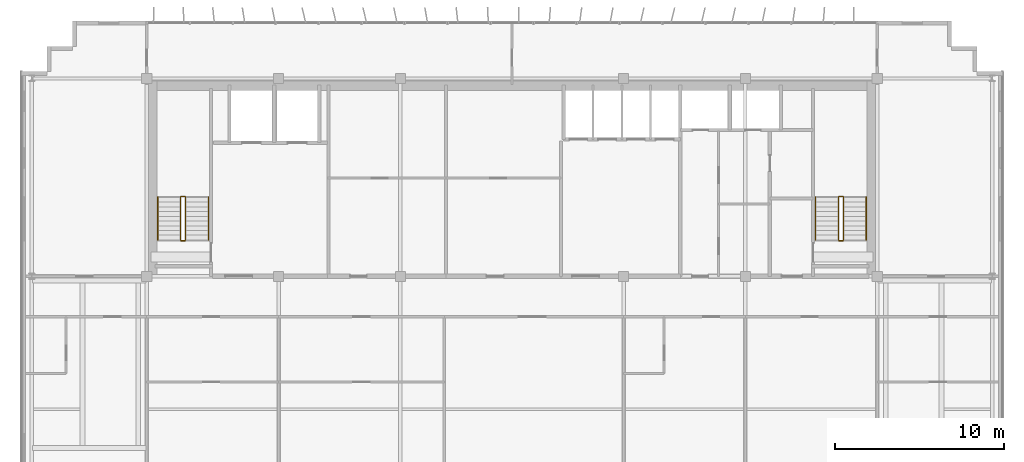
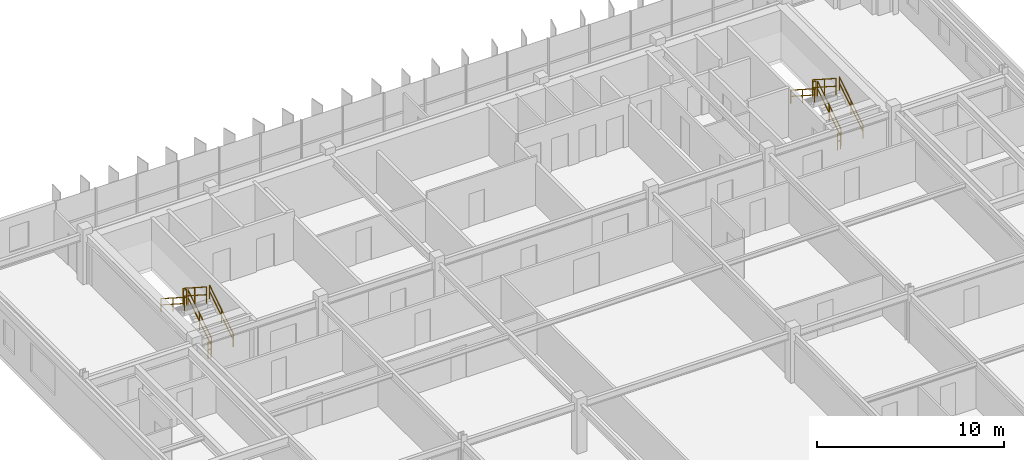
# One storey, part 26 of 26: 12 railings.
"""IFC4 building model written with IfcOpenShell, lengths in metres."""

from ifc_helpers import new_model, si_unit, direction, frame, origin, origin_2d, place, context, subcontext, project, spatial, rectangle, extrude, material, type_object, element, save


model = new_model("IFC4")

# Units and contexts
model_context = context("Model", 3, precision=1e-05, world=origin(), true_north=direction((0.0, 1.0)))
body_context = subcontext(model_context, "Body", "Model", "MODEL_VIEW")
ifc_project = project(units=[si_unit("LENGTHUNIT", "METRE"), si_unit("AREAUNIT", "SQUARE_METRE"), si_unit("VOLUMEUNIT", "CUBIC_METRE"), si_unit("PLANEANGLEUNIT", "RADIAN"), si_unit("MASSUNIT", "GRAM", prefix="KILO")], contexts=[model_context])

# Site, building, storey
site_placement = place(None, origin())
site = spatial("IfcSite", under=ifc_project, at=site_placement, CompositionType="ELEMENT")
building_placement = place(site_placement, origin())
building = spatial("IfcBuilding", under=site, at=building_placement, Name="Trelvane Seafront Commons", CompositionType="ELEMENT")
storey_placement = place(building_placement, frame((0.0, 0.0, 291.89990234375)))
storey = spatial("IfcBuildingStorey", under=building, at=storey_placement, Name="L76", CompositionType="ELEMENT", Elevation=291.89990234375)

# Railings
ifc_material = material(Name="Stainless steel balustrade", Category="steel")
railing_type_1 = type_object("IfcRailingType", Name="ARCH-SRL-GUARD", PredefinedType="GUARDRAIL", material=ifc_material)
railing_1_placement = place(storey_placement, frame((17.89990234375, 35.550048828125, 0.18017578125)))
element("IfcRailing", 1, at=railing_1_placement, inside=storey, type_object=railing_type_1, Name="L76 ST-1 stair guard 1", PredefinedType="GUARDRAIL", context=body_context, shape_type="SweptSolid", body=[
    extrude(rectangle(XDim=0.048095703125, YDim=0.048095703125, at=origin_2d()), frame((0.0, 0.0, 1.076171875), z_axis=(0.0, 0.841199657755, 0.540724639528), x_axis=(-1.0, 0.0, 0.0)), (0.0, 0.0, 1.0), 2.995849609375),
    extrude(rectangle(XDim=0.048095703125, YDim=0.048095703125, at=origin_2d()), frame((0.0, 0.0, 0.572021484375), z_axis=(0.0, 0.841199657755, 0.540724639528), x_axis=(-1.0, 0.0, 0.0)), (0.0, 0.0, 1.0), 2.995849609375),
    extrude(rectangle(XDim=0.0419921875, YDim=0.0419921875, at=origin_2d()), origin(), (0.0, 0.0, 1.0), 1.076171875),
    extrude(rectangle(XDim=0.0419921875, YDim=0.0419921875, at=origin_2d()), frame((0.0, 1.260009765625, 0.81005859375)), (0.0, 0.0, 1.0), 1.076171875),
    extrude(rectangle(XDim=0.0419921875, YDim=0.0419921875, at=origin_2d()), frame((0.0, 2.52001953125, 1.619873046875)), (0.0, 0.0, 1.0), 1.076171875),
])
railing_2_placement = place(storey_placement, frame((17.85009765625, 38.1201171875, 1.800048828125)))
element("IfcRailing", 2, at=railing_2_placement, inside=storey, type_object=railing_type_1, Name="L76 ST-1 stair guard 2", PredefinedType="GUARDRAIL", context=body_context, shape_type="SweptSolid", body=[
    extrude(rectangle(XDim=0.048095703125, YDim=0.048095703125, at=origin_2d()), frame((0.0, 0.0, 1.076171875), z_axis=(-1.0, 0.0, 0.0), x_axis=(0.0, -1.0, 0.0)), (0.0, 0.0, 1.0), 0.2001953125),
    extrude(rectangle(XDim=0.048095703125, YDim=0.048095703125, at=origin_2d()), frame((0.0, 0.0, 0.572021484375), z_axis=(-1.0, 0.0, 0.0), x_axis=(0.0, -1.0, 0.0)), (0.0, 0.0, 1.0), 0.2001953125),
    extrude(rectangle(XDim=0.0419921875, YDim=0.0419921875, at=origin_2d()), origin(), (0.0, 0.0, 1.0), 1.076171875),
    extrude(rectangle(XDim=0.0419921875, YDim=0.0419921875, at=origin_2d()), frame((-0.2001953125, 0.0, 0.0)), (0.0, 0.0, 1.0), 1.076171875),
])
railing_3_placement = place(storey_placement, frame((17.60009765625, 38.070068359375, 1.97998046875)))
element("IfcRailing", 3, at=railing_3_placement, inside=storey, type_object=railing_type_1, Name="L76 ST-1 stair guard 3", PredefinedType="GUARDRAIL", context=body_context, shape_type="SweptSolid", body=[
    extrude(rectangle(XDim=0.048095703125, YDim=0.048095703125, at=origin_2d()), frame((0.0, 0.0, 1.076171875), z_axis=(0.0, -0.841162588446, 0.540782303519), x_axis=(1.0, 0.0, 0.0)), (0.0, 0.0, 1.0), 2.995849609375),
    extrude(rectangle(XDim=0.048095703125, YDim=0.048095703125, at=origin_2d()), frame((0.0, 0.0, 0.572021484375), z_axis=(0.0, -0.841162588446, 0.540782303519), x_axis=(1.0, 0.0, 0.0)), (0.0, 0.0, 1.0), 2.995849609375),
    extrude(rectangle(XDim=0.0419921875, YDim=0.0419921875, at=origin_2d()), origin(), (0.0, 0.0, 1.0), 1.076171875),
    extrude(rectangle(XDim=0.0419921875, YDim=0.0419921875, at=origin_2d()), frame((0.0, -1.260009765625, 0.81005859375)), (0.0, 0.0, 1.0), 1.076171875),
    extrude(rectangle(XDim=0.0419921875, YDim=0.0419921875, at=origin_2d()), frame((0.0, -2.52001953125, 1.6201171875)), (0.0, 0.0, 1.0), 1.076171875),
])
railing_4_placement = place(storey_placement, frame((17.85009765625, 35.5, 0.0)))
element("IfcRailing", 4, at=railing_4_placement, inside=storey, type_object=railing_type_1, Name="L76 ST-1 stair guard 4", PredefinedType="GUARDRAIL", context=body_context, shape_type="SweptSolid", body=[
    extrude(rectangle(XDim=0.048095703125, YDim=0.048095703125, at=origin_2d()), frame((0.0, 0.0, 1.076171875), z_axis=(-1.0, 0.0, 0.0), x_axis=(0.0, -1.0, 0.0)), (0.0, 0.0, 1.0), 0.2001953125),
    extrude(rectangle(XDim=0.048095703125, YDim=0.048095703125, at=origin_2d()), frame((0.0, 0.0, 0.572021484375), z_axis=(-1.0, 0.0, 0.0), x_axis=(0.0, -1.0, 0.0)), (0.0, 0.0, 1.0), 0.2001953125),
    extrude(rectangle(XDim=0.0419921875, YDim=0.0419921875, at=origin_2d()), origin(), (0.0, 0.0, 1.0), 1.076171875),
    extrude(rectangle(XDim=0.0419921875, YDim=0.0419921875, at=origin_2d()), frame((-0.2001953125, 0.0, 0.0)), (0.0, 0.0, 1.0), 1.076171875),
])
railing_5_placement = place(storey_placement, frame((56.800048828125, 35.550048828125, 0.18017578125)))
element("IfcRailing", 5, at=railing_5_placement, inside=storey, type_object=railing_type_1, Name="L76 ST-2 stair guard 1", PredefinedType="GUARDRAIL", context=body_context, shape_type="SweptSolid", body=[
    extrude(rectangle(XDim=0.048095703125, YDim=0.048095703125, at=origin_2d()), frame((0.0, 0.0, 1.076171875), z_axis=(0.0, 0.841199657755, 0.540724639528), x_axis=(-1.0, 0.0, 0.0)), (0.0, 0.0, 1.0), 2.995849609375),
    extrude(rectangle(XDim=0.048095703125, YDim=0.048095703125, at=origin_2d()), frame((0.0, 0.0, 0.572021484375), z_axis=(0.0, 0.841199657755, 0.540724639528), x_axis=(-1.0, 0.0, 0.0)), (0.0, 0.0, 1.0), 2.995849609375),
    extrude(rectangle(XDim=0.0419921875, YDim=0.0419921875, at=origin_2d()), origin(), (0.0, 0.0, 1.0), 1.076171875),
    extrude(rectangle(XDim=0.0419921875, YDim=0.0419921875, at=origin_2d()), frame((0.0, 1.260009765625, 0.81005859375)), (0.0, 0.0, 1.0), 1.076171875),
    extrude(rectangle(XDim=0.0419921875, YDim=0.0419921875, at=origin_2d()), frame((0.0, 2.52001953125, 1.619873046875)), (0.0, 0.0, 1.0), 1.076171875),
])
railing_6_placement = place(storey_placement, frame((56.75, 38.1201171875, 1.800048828125)))
element("IfcRailing", 6, at=railing_6_placement, inside=storey, type_object=railing_type_1, Name="L76 ST-2 stair guard 2", PredefinedType="GUARDRAIL", context=body_context, shape_type="SweptSolid", body=[
    extrude(rectangle(XDim=0.048095703125, YDim=0.048095703125, at=origin_2d()), frame((0.0, 0.0, 1.076171875), z_axis=(-1.0, 0.0, 0.0), x_axis=(0.0, -1.0, 0.0)), (0.0, 0.0, 1.0), 0.199951171875),
    extrude(rectangle(XDim=0.048095703125, YDim=0.048095703125, at=origin_2d()), frame((0.0, 0.0, 0.572021484375), z_axis=(-1.0, 0.0, 0.0), x_axis=(0.0, -1.0, 0.0)), (0.0, 0.0, 1.0), 0.199951171875),
    extrude(rectangle(XDim=0.0419921875, YDim=0.0419921875, at=origin_2d()), origin(), (0.0, 0.0, 1.0), 1.076171875),
    extrude(rectangle(XDim=0.0419921875, YDim=0.0419921875, at=origin_2d()), frame((-0.199951171875, 0.0, 0.0)), (0.0, 0.0, 1.0), 1.076171875),
])
railing_7_placement = place(storey_placement, frame((56.5, 38.070068359375, 1.97998046875)))
element("IfcRailing", 7, at=railing_7_placement, inside=storey, type_object=railing_type_1, Name="L76 ST-2 stair guard 3", PredefinedType="GUARDRAIL", context=body_context, shape_type="SweptSolid", body=[
    extrude(rectangle(XDim=0.048095703125, YDim=0.048095703125, at=origin_2d()), frame((0.0, 0.0, 1.076171875), z_axis=(0.0, -0.841162588446, 0.540782303519), x_axis=(1.0, 0.0, 0.0)), (0.0, 0.0, 1.0), 2.995849609375),
    extrude(rectangle(XDim=0.048095703125, YDim=0.048095703125, at=origin_2d()), frame((0.0, 0.0, 0.572021484375), z_axis=(0.0, -0.841162588446, 0.540782303519), x_axis=(1.0, 0.0, 0.0)), (0.0, 0.0, 1.0), 2.995849609375),
    extrude(rectangle(XDim=0.0419921875, YDim=0.0419921875, at=origin_2d()), origin(), (0.0, 0.0, 1.0), 1.076171875),
    extrude(rectangle(XDim=0.0419921875, YDim=0.0419921875, at=origin_2d()), frame((0.0, -1.260009765625, 0.81005859375)), (0.0, 0.0, 1.0), 1.076171875),
    extrude(rectangle(XDim=0.0419921875, YDim=0.0419921875, at=origin_2d()), frame((0.0, -2.52001953125, 1.6201171875)), (0.0, 0.0, 1.0), 1.076171875),
])
railing_8_placement = place(storey_placement, frame((56.75, 35.5, 0.0)))
element("IfcRailing", 8, at=railing_8_placement, inside=storey, type_object=railing_type_1, Name="L76 ST-2 stair guard 4", PredefinedType="GUARDRAIL", context=body_context, shape_type="SweptSolid", body=[
    extrude(rectangle(XDim=0.048095703125, YDim=0.048095703125, at=origin_2d()), frame((0.0, 0.0, 1.076171875), z_axis=(-1.0, 0.0, 0.0), x_axis=(0.0, -1.0, 0.0)), (0.0, 0.0, 1.0), 0.199951171875),
    extrude(rectangle(XDim=0.048095703125, YDim=0.048095703125, at=origin_2d()), frame((0.0, 0.0, 0.572021484375), z_axis=(-1.0, 0.0, 0.0), x_axis=(0.0, -1.0, 0.0)), (0.0, 0.0, 1.0), 0.199951171875),
    extrude(rectangle(XDim=0.0419921875, YDim=0.0419921875, at=origin_2d()), origin(), (0.0, 0.0, 1.0), 1.076171875),
    extrude(rectangle(XDim=0.0419921875, YDim=0.0419921875, at=origin_2d()), frame((-0.199951171875, 0.0, 0.0)), (0.0, 0.0, 1.0), 1.076171875),
])
railing_type_2 = type_object("IfcRailingType", Name="ARCH-SRL-HAND", PredefinedType="HANDRAIL", material=ifc_material)
railing_9_placement = place(storey_placement, frame((19.25, 35.550048828125, 0.18017578125)))
element("IfcRailing", 9, at=railing_9_placement, inside=storey, type_object=railing_type_2, Name="L76 ST-1 stair handrail 1", PredefinedType="HANDRAIL", context=body_context, shape_type="SweptSolid", body=[
    extrude(rectangle(XDim=0.048095703125, YDim=0.048095703125, at=origin_2d()), frame((0.0, 0.0, 0.8759765625), z_axis=(0.0, 0.841199657755, 0.540724639528), x_axis=(-1.0, 0.0, 0.0)), (0.0, 0.0, 1.0), 2.995849609375),
    extrude(rectangle(XDim=0.048095703125, YDim=0.048095703125, at=origin_2d()), frame((0.0, 0.0, 0.468017578125), z_axis=(0.0, 0.841199657755, 0.540724639528), x_axis=(-1.0, 0.0, 0.0)), (0.0, 0.0, 1.0), 2.995849609375),
    extrude(rectangle(XDim=0.0419921875, YDim=0.0419921875, at=origin_2d()), origin(), (0.0, 0.0, 1.0), 0.8759765625),
    extrude(rectangle(XDim=0.0419921875, YDim=0.0419921875, at=origin_2d()), frame((0.0, 1.260009765625, 0.81005859375)), (0.0, 0.0, 1.0), 0.8759765625),
    extrude(rectangle(XDim=0.0419921875, YDim=0.0419921875, at=origin_2d()), frame((0.0, 2.52001953125, 1.619873046875)), (0.0, 0.0, 1.0), 0.8759765625),
])
railing_10_placement = place(storey_placement, frame((16.25, 38.070068359375, 1.97998046875)))
element("IfcRailing", 10, at=railing_10_placement, inside=storey, type_object=railing_type_2, Name="L76 ST-1 stair handrail 2", PredefinedType="HANDRAIL", context=body_context, shape_type="SweptSolid", body=[
    extrude(rectangle(XDim=0.048095703125, YDim=0.048095703125, at=origin_2d()), frame((0.0, 0.0, 0.8759765625), z_axis=(0.0, -0.841162588446, 0.540782303519), x_axis=(1.0, 0.0, 0.0)), (0.0, 0.0, 1.0), 2.995849609375),
    extrude(rectangle(XDim=0.048095703125, YDim=0.048095703125, at=origin_2d()), frame((0.0, 0.0, 0.468017578125), z_axis=(0.0, -0.841162588446, 0.540782303519), x_axis=(1.0, 0.0, 0.0)), (0.0, 0.0, 1.0), 2.995849609375),
    extrude(rectangle(XDim=0.0419921875, YDim=0.0419921875, at=origin_2d()), origin(), (0.0, 0.0, 1.0), 0.8759765625),
    extrude(rectangle(XDim=0.0419921875, YDim=0.0419921875, at=origin_2d()), frame((0.0, -1.260009765625, 0.81005859375)), (0.0, 0.0, 1.0), 0.8759765625),
    extrude(rectangle(XDim=0.0419921875, YDim=0.0419921875, at=origin_2d()), frame((0.0, -2.52001953125, 1.6201171875)), (0.0, 0.0, 1.0), 0.8759765625),
])
railing_11_placement = place(storey_placement, frame((58.14990234375, 35.550048828125, 0.18017578125)))
element("IfcRailing", 11, at=railing_11_placement, inside=storey, type_object=railing_type_2, Name="L76 ST-2 stair handrail 1", PredefinedType="HANDRAIL", context=body_context, shape_type="SweptSolid", body=[
    extrude(rectangle(XDim=0.048095703125, YDim=0.048095703125, at=origin_2d()), frame((0.0, 0.0, 0.8759765625), z_axis=(0.0, 0.841199657755, 0.540724639528), x_axis=(-1.0, 0.0, 0.0)), (0.0, 0.0, 1.0), 2.995849609375),
    extrude(rectangle(XDim=0.048095703125, YDim=0.048095703125, at=origin_2d()), frame((0.0, 0.0, 0.468017578125), z_axis=(0.0, 0.841199657755, 0.540724639528), x_axis=(-1.0, 0.0, 0.0)), (0.0, 0.0, 1.0), 2.995849609375),
    extrude(rectangle(XDim=0.0419921875, YDim=0.0419921875, at=origin_2d()), origin(), (0.0, 0.0, 1.0), 0.8759765625),
    extrude(rectangle(XDim=0.0419921875, YDim=0.0419921875, at=origin_2d()), frame((0.0, 1.260009765625, 0.81005859375)), (0.0, 0.0, 1.0), 0.8759765625),
    extrude(rectangle(XDim=0.0419921875, YDim=0.0419921875, at=origin_2d()), frame((0.0, 2.52001953125, 1.619873046875)), (0.0, 0.0, 1.0), 0.8759765625),
])
railing_12_placement = place(storey_placement, frame((55.14990234375, 38.070068359375, 1.97998046875)))
element("IfcRailing", 12, at=railing_12_placement, inside=storey, type_object=railing_type_2, Name="L76 ST-2 stair handrail 2", PredefinedType="HANDRAIL", context=body_context, shape_type="SweptSolid", body=[
    extrude(rectangle(XDim=0.048095703125, YDim=0.048095703125, at=origin_2d()), frame((0.0, 0.0, 0.8759765625), z_axis=(0.0, -0.841162588446, 0.540782303519), x_axis=(1.0, 0.0, 0.0)), (0.0, 0.0, 1.0), 2.995849609375),
    extrude(rectangle(XDim=0.048095703125, YDim=0.048095703125, at=origin_2d()), frame((0.0, 0.0, 0.468017578125), z_axis=(0.0, -0.841162588446, 0.540782303519), x_axis=(1.0, 0.0, 0.0)), (0.0, 0.0, 1.0), 2.995849609375),
    extrude(rectangle(XDim=0.0419921875, YDim=0.0419921875, at=origin_2d()), origin(), (0.0, 0.0, 1.0), 0.8759765625),
    extrude(rectangle(XDim=0.0419921875, YDim=0.0419921875, at=origin_2d()), frame((0.0, -1.260009765625, 0.81005859375)), (0.0, 0.0, 1.0), 0.8759765625),
    extrude(rectangle(XDim=0.0419921875, YDim=0.0419921875, at=origin_2d()), frame((0.0, -2.52001953125, 1.6201171875)), (0.0, 0.0, 1.0), 0.8759765625),
])

save(model, "model.ifc")
